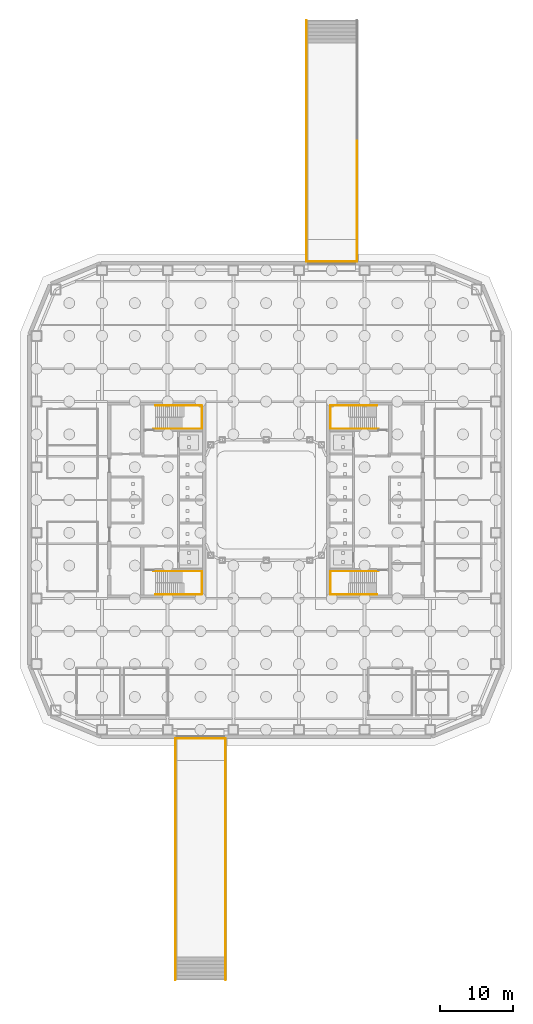
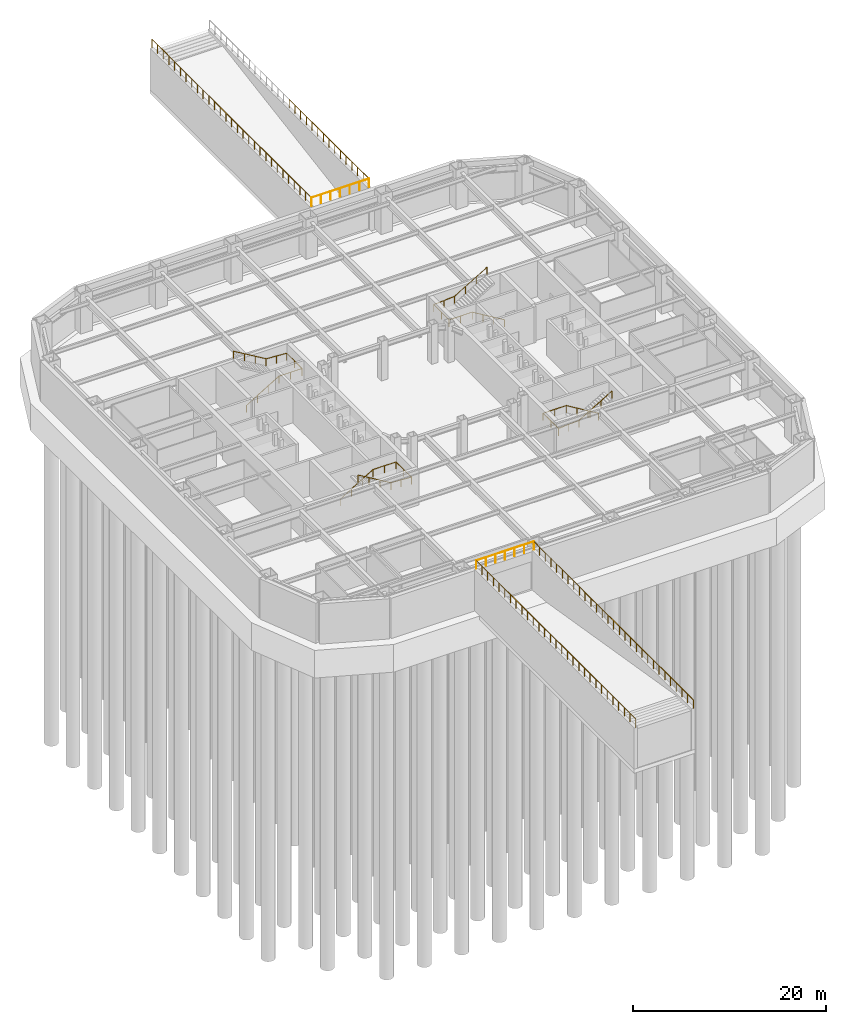
# One storey, part 8 of 10: 13 railings.
"""IFC4 building model written with IfcOpenShell, lengths in metres."""

import ifcopenshell
import ifcopenshell.guid

model = None  # the IFC model being written
_history = None  # IfcOwnerHistory: only IFC2X3 demands one
_inside = {}  # id of a spatial element -> (the spatial element, [elements in it])
_under = {}  # id of a project, library or spatial element -> (it, [spatial elements below it])
_declared = {}  # id of a project -> (the project, [libraries it declares])
_typed = {}  # id of a type object -> (the type object, [elements of that type])
_made_of = {}  # id of a material, layer set ... -> (it, [elements and type objects made of it])


def new_model(schema):
    """Start an empty IFC model of exactly this schema.

    Asked for "IFC4X3", IfcOpenShell would pick the latest addendum, in which some entities
    have other attributes; the version numbers below select the first issue.
    IFC2X3 requires an IfcOwnerHistory on every rooted entity: one is made here for all.
    """
    global model, _history
    if schema == "IFC4X3":
        model = ifcopenshell.file(schema_version=(4, 3, 0, 0))
    else:
        model = ifcopenshell.file(schema=schema)
    _inside.clear()
    _under.clear()
    _declared.clear()
    _typed.clear()
    _made_of.clear()
    _history = None
    if model.schema == "IFC2X3":
        org = make("IfcOrganization", Name="unknown")
        user = make(
            "IfcPersonAndOrganization",
            ThePerson=make("IfcPerson", FamilyName="unknown"),
            TheOrganization=org,
        )
        app = make(
            "IfcApplication",
            ApplicationDeveloper=org,
            Version="unknown",
            ApplicationFullName="unknown",
            ApplicationIdentifier="unknown",
        )
        _history = make(
            "IfcOwnerHistory",
            OwningUser=user,
            OwningApplication=app,
            ChangeAction="ADDED",
            CreationDate=0,
        )
    return model


def make(cls, **values):
    """One entity of the class cls with the attributes given. An attribute that is None is left unset."""
    return model.create_entity(
        cls, **{name: value for name, value in values.items() if value is not None}
    )


def rooted(cls, **values):
    """An entity with a GlobalId (a new one), such as an element, a storey or a relation."""
    return make(cls, GlobalId=ifcopenshell.guid.new(), OwnerHistory=_history, **values)


def si_unit(unit_type, name, prefix=None):
    """IfcSIUnit, for example si_unit("LENGTHUNIT", "METRE", prefix="MILLI")."""
    return make("IfcSIUnit", UnitType=unit_type, Prefix=prefix, Name=name)


def assignment(units):
    """IfcUnitAssignment: the units of a project."""
    return None if units is None else make("IfcUnitAssignment", Units=units)


def point(xyz):
    """IfcCartesianPoint."""
    return None if xyz is None else make("IfcCartesianPoint", Coordinates=xyz)


def direction(xyz):
    """IfcDirection."""
    return None if xyz is None else make("IfcDirection", DirectionRatios=xyz)


def frame(location, z_axis=None, x_axis=None):
    """IfcAxis2Placement3D, a coordinate frame: its origin and axes. An axis left out is left unset."""
    return make(
        "IfcAxis2Placement3D",
        Location=point(location),
        Axis=direction(z_axis),
        RefDirection=direction(x_axis),
    )


def frame_2d(location, x_axis=None):
    """IfcAxis2Placement2D, a coordinate frame in the plane: its origin and x axis."""
    return make(
        "IfcAxis2Placement2D", Location=point(location), RefDirection=direction(x_axis)
    )


def origin():
    """The frame at (0, 0, 0) with its axes left unset."""
    return frame((0.0, 0.0, 0.0))


def origin_2d():
    """The frame at (0, 0) in the plane with its x axis left unset."""
    return frame_2d((0.0, 0.0))


def place(relative_to, where):
    """IfcLocalPlacement: puts the frame where relative to a parent placement (None: the world)."""
    return make(
        "IfcLocalPlacement", PlacementRelTo=relative_to, RelativePlacement=where
    )


def context(
    kind, dimensions, precision=None, world=None, true_north=None, identifier=None
):
    """IfcGeometricRepresentationContext, for example the 3D "Model" context."""
    return make(
        "IfcGeometricRepresentationContext",
        ContextIdentifier=identifier,
        ContextType=kind,
        CoordinateSpaceDimension=dimensions,
        Precision=precision,
        WorldCoordinateSystem=world,
        TrueNorth=true_north,
    )


def subcontext(parent, identifier, kind, view, scale=None):
    """IfcGeometricRepresentationSubContext, for example "Body" below "Model"."""
    return make(
        "IfcGeometricRepresentationSubContext",
        ContextIdentifier=identifier,
        ContextType=kind,
        ParentContext=parent,
        TargetScale=scale,
        TargetView=view,
    )


def project(units=None, contexts=None):
    """IfcProject with its units and contexts."""
    return rooted(
        "IfcProject",
        Name="project",
        RepresentationContexts=contexts,
        UnitsInContext=assignment(units),
    )


def spatial(cls, under=None, at=None, **own):
    """A site, building, storey or space (cls), placed at a placement, below another one or the project."""
    s = rooted(cls, ObjectPlacement=at, **own)
    if under is not None:
        _under.setdefault(under.id(), (under, []))[1].append(s)
    return s


def profile(cls, at=None, kind="AREA", **sizes):
    """A parametric profile (cls). Its sizes go by their IFC names, for example OverallWidth=200.0."""
    return make(cls, ProfileType=kind, Position=at, **sizes)


def circle(**sizes):
    """IfcCircleProfileDef."""
    return profile("IfcCircleProfileDef", **sizes)


def extrude(swept, where, along, depth):
    """IfcExtrudedAreaSolid: the profile swept, set in the frame where, extruded along a direction by depth."""
    return make(
        "IfcExtrudedAreaSolid",
        SweptArea=swept,
        Position=where,
        ExtrudedDirection=direction(along),
        Depth=depth,
    )


def shape(context_of_items, identifier, shape_type, items):
    """IfcShapeRepresentation: the items that make up one representation, for example the "Body"."""
    return make(
        "IfcShapeRepresentation",
        ContextOfItems=context_of_items,
        RepresentationIdentifier=identifier,
        RepresentationType=shape_type,
        Items=items,
    )


def material(Name=None, Category=None):
    """IfcMaterial."""
    return make("IfcMaterial", Name=Name, Category=Category)


def made_of(thing, what):
    """Note that an element or type object is made of a material, layer set ...; save() writes the relation."""
    if what is not None:
        _made_of.setdefault(what.id(), (what, []))[1].append(thing)
    return thing


def type_object(cls, material=None, **own):
    """A type object (cls), such as IfcWallType, which elements share."""
    return made_of(rooted(cls, **own), material)


def element(
    cls,
    number,
    at=None,
    inside=None,
    cuts=None,
    type_object=None,
    material=None,
    context=None,
    identifier="Body",
    shape_type=None,
    held_by="IfcProductDefinitionShape",
    body=None,
    shapes=None,
    **own,
):
    """One element of the class cls, such as IfcWall. Its Tag is "e" and its number.

    at: its placement. inside: the storey or other place that contains it. cuts: it is an
    opening in that element (IfcRelVoidsElement). A single representation is given by context,
    identifier, shape_type and body (its items); several are given by shapes. held_by: the class
    of the entity that holds the representations. save() writes the other relations.
    """
    e = rooted(cls, Tag="e%d" % number, ObjectPlacement=at, **own)
    if body is not None:
        shapes = [shape(context, identifier, shape_type, body)]
    if shapes is not None:
        e.Representation = make(held_by, Representations=shapes)
    if inside is not None:
        _inside.setdefault(inside.id(), (inside, []))[1].append(e)
    if cuts is not None:
        rooted(
            "IfcRelVoidsElement", RelatingBuildingElement=cuts, RelatedOpeningElement=e
        )
    if type_object is not None:
        _typed.setdefault(type_object.id(), (type_object, []))[1].append(e)
    return made_of(e, material)


def aggregate(whole, parts):
    """IfcRelAggregates: a whole, such as a stair, and the parts it consists of."""
    return rooted("IfcRelAggregates", RelatingObject=whole, RelatedObjects=parts)


def save(model, path):
    """Write the relations noted so far, then the file.

    IfcRelAggregates (storeys below a building ...), IfcRelContainedInSpatialStructure (elements
    in a storey), IfcRelDefinesByType, IfcRelAssociatesMaterial and IfcRelDeclares: one each for
    every whole, place, type object, material and project.
    """
    for whole, parts in _under.values():
        aggregate(whole, parts)
    for where, things in _inside.values():
        rooted(
            "IfcRelContainedInSpatialStructure",
            RelatedElements=things,
            RelatingStructure=where,
        )
    for kind, things in _typed.values():
        rooted("IfcRelDefinesByType", RelatedObjects=things, RelatingType=kind)
    for what, things in _made_of.values():
        rooted("IfcRelAssociatesMaterial", RelatedObjects=things, RelatingMaterial=what)
    for by, libraries in _declared.values():
        rooted("IfcRelDeclares", RelatingContext=by, RelatedDefinitions=libraries)
    model.write(path)


model = new_model("IFC4")

# Units and contexts
model_context = context("Model", 3, precision=1e-05, world=origin(), true_north=direction((0.0, 1.0)))
body_context = subcontext(model_context, "Body", "Model", "MODEL_VIEW")
ifc_project = project(units=[si_unit("LENGTHUNIT", "METRE"), si_unit("AREAUNIT", "SQUARE_METRE"), si_unit("VOLUMEUNIT", "CUBIC_METRE"), si_unit("PLANEANGLEUNIT", "RADIAN"), si_unit("MASSUNIT", "GRAM", prefix="KILO")], contexts=[model_context])

# Site, building, storey
site_placement = place(None, origin())
site = spatial("IfcSite", under=ifc_project, at=site_placement, CompositionType="ELEMENT")
building_placement = place(site_placement, origin())
building = spatial("IfcBuilding", under=site, at=building_placement, Name="Siwar Civic Tower", CompositionType="ELEMENT")
storey_placement = place(building_placement, frame((0.0, 0.0, -5.0)))
storey = spatial("IfcBuildingStorey", under=building, at=storey_placement, Name="B1", CompositionType="ELEMENT", Elevation=-5.0)

# Railings
ifc_material_1 = material(Name="Stainless steel", Category="steel")
railing_type_1 = type_object("IfcRailingType", Name="CORE-STAIR-HANDRAIL", PredefinedType="HANDRAIL", material=ifc_material_1)
railing_1_placement = place(storey_placement, frame((-15.449951171875, 9.758056640625, 0.166748046875)))
element("IfcRailing", 1, at=railing_1_placement, inside=storey, type_object=railing_type_1, Name="Stair handrail ST1", PredefinedType="HANDRAIL", context=body_context, shape_type="SweptSolid", body=[
    extrude(circle(Radius=0.02001953125, at=origin_2d()), frame((0.0, 0.0, 0.8798828125), z_axis=(0.856384976194, 0.0, 0.516337847296), x_axis=(0.0, 1.0, 0.0)), (0.0, 0.0, 1.0), 4.518798828125),
    extrude(circle(Radius=0.02001953125, at=origin_2d()), frame((3.869873046875, 0.0, 3.213134765625), z_axis=(1.0, 0.0, 0.0), x_axis=(0.0, 1.0, 0.0)), (0.0, 0.0, 1.0), 2.77197265625),
    extrude(circle(Radius=0.02001953125, at=origin_2d()), frame((6.641845703125, 0.0, 3.213134765625), z_axis=(0.0, 1.0, 0.0), x_axis=(-1.0, 0.0, 0.0)), (0.0, 0.0, 1.0), 3.183837890625),
    extrude(circle(Radius=0.02001953125, at=origin_2d()), frame((6.641845703125, 3.183837890625, 3.213134765625), z_axis=(-0.997732526271, 0.0, 0.067303833624), x_axis=(0.0, -1.0, 0.0)), (0.0, 0.0, 1.0), 2.4775390625),
    extrude(circle(Radius=0.02001953125, at=origin_2d()), frame((4.169921875, 3.183837890625, 3.3798828125), z_axis=(-0.859296244711, 0.0, 0.511478214419), x_axis=(0.0, -1.0, 0.0)), (0.0, 0.0, 1.0), 4.561767578125),
    extrude(circle(Radius=0.02001953125, at=origin_2d()), origin(), (0.0, 0.0, 1.0), 0.85986328125),
    extrude(circle(Radius=0.02001953125, at=origin_2d()), frame((1.2900390625, 0.0, 0.77783203125)), (0.0, 0.0, 1.0), 0.85986328125),
    extrude(circle(Radius=0.02001953125, at=origin_2d()), frame((2.579833984375, 0.0, 1.555419921875)), (0.0, 0.0, 1.0), 0.85986328125),
    extrude(circle(Radius=0.02001953125, at=origin_2d()), frame((3.869873046875, 0.0, 2.333251953125)), (0.0, 0.0, 1.0), 0.85986328125),
    extrude(circle(Radius=0.02001953125, at=origin_2d()), frame((5.255859375, 0.0, 2.333251953125)), (0.0, 0.0, 1.0), 0.85986328125),
    extrude(circle(Radius=0.02001953125, at=origin_2d()), frame((6.641845703125, 0.0, 2.333251953125)), (0.0, 0.0, 1.0), 0.85986328125),
    extrude(circle(Radius=0.02001953125, at=origin_2d()), frame((6.641845703125, 1.591796875, 2.333251953125)), (0.0, 0.0, 1.0), 0.85986328125),
    extrude(circle(Radius=0.02001953125, at=origin_2d()), frame((6.641845703125, 3.183837890625, 2.333251953125)), (0.0, 0.0, 1.0), 0.85986328125),
    extrude(circle(Radius=0.02001953125, at=origin_2d()), frame((5.40576171875, 3.183837890625, 2.41650390625)), (0.0, 0.0, 1.0), 0.85986328125),
    extrude(circle(Radius=0.02001953125, at=origin_2d()), frame((4.169921875, 3.183837890625, 2.5)), (0.0, 0.0, 1.0), 0.85986328125),
    extrude(circle(Radius=0.02001953125, at=origin_2d()), frame((2.86328125, 3.183837890625, 3.27783203125)), (0.0, 0.0, 1.0), 0.85986328125),
    extrude(circle(Radius=0.02001953125, at=origin_2d()), frame((1.556640625, 3.183837890625, 4.055419921875)), (0.0, 0.0, 1.0), 0.85986328125),
    extrude(circle(Radius=0.02001953125, at=origin_2d()), frame((0.25, 3.183837890625, 4.833251953125)), (0.0, 0.0, 1.0), 0.85986328125),
])
railing_2_placement = place(storey_placement, frame((-15.449951171875, -9.758056640625, 0.166748046875)))
element("IfcRailing", 2, at=railing_2_placement, inside=storey, type_object=railing_type_1, Name="Stair handrail ST2", PredefinedType="HANDRAIL", context=body_context, shape_type="SweptSolid", body=[
    extrude(circle(Radius=0.02001953125, at=origin_2d()), frame((0.0, 0.0, 0.8798828125), z_axis=(0.856384976194, 0.0, 0.516337847296), x_axis=(0.0, 1.0, 0.0)), (0.0, 0.0, 1.0), 4.518798828125),
    extrude(circle(Radius=0.02001953125, at=origin_2d()), frame((3.869873046875, 0.0, 3.213134765625), z_axis=(1.0, 0.0, 0.0), x_axis=(0.0, 1.0, 0.0)), (0.0, 0.0, 1.0), 2.77197265625),
    extrude(circle(Radius=0.02001953125, at=origin_2d()), frame((6.641845703125, 0.0, 3.213134765625), z_axis=(0.0, -1.0, 0.0), x_axis=(1.0, 0.0, 0.0)), (0.0, 0.0, 1.0), 3.183837890625),
    extrude(circle(Radius=0.02001953125, at=origin_2d()), frame((6.641845703125, -3.183837890625, 3.213134765625), z_axis=(-0.997732526271, 0.0, 0.067303833624), x_axis=(0.0, -1.0, 0.0)), (0.0, 0.0, 1.0), 2.4775390625),
    extrude(circle(Radius=0.02001953125, at=origin_2d()), frame((4.169921875, -3.183837890625, 3.3798828125), z_axis=(-0.859296244711, 0.0, 0.511478214419), x_axis=(0.0, -1.0, 0.0)), (0.0, 0.0, 1.0), 4.561767578125),
    extrude(circle(Radius=0.02001953125, at=origin_2d()), origin(), (0.0, 0.0, 1.0), 0.85986328125),
    extrude(circle(Radius=0.02001953125, at=origin_2d()), frame((1.2900390625, 0.0, 0.77783203125)), (0.0, 0.0, 1.0), 0.85986328125),
    extrude(circle(Radius=0.02001953125, at=origin_2d()), frame((2.579833984375, 0.0, 1.555419921875)), (0.0, 0.0, 1.0), 0.85986328125),
    extrude(circle(Radius=0.02001953125, at=origin_2d()), frame((3.869873046875, 0.0, 2.333251953125)), (0.0, 0.0, 1.0), 0.85986328125),
    extrude(circle(Radius=0.02001953125, at=origin_2d()), frame((5.255859375, 0.0, 2.333251953125)), (0.0, 0.0, 1.0), 0.85986328125),
    extrude(circle(Radius=0.02001953125, at=origin_2d()), frame((6.641845703125, 0.0, 2.333251953125)), (0.0, 0.0, 1.0), 0.85986328125),
    extrude(circle(Radius=0.02001953125, at=origin_2d()), frame((6.641845703125, -1.591796875, 2.333251953125)), (0.0, 0.0, 1.0), 0.85986328125),
    extrude(circle(Radius=0.02001953125, at=origin_2d()), frame((6.641845703125, -3.183837890625, 2.333251953125)), (0.0, 0.0, 1.0), 0.85986328125),
    extrude(circle(Radius=0.02001953125, at=origin_2d()), frame((5.40576171875, -3.183837890625, 2.41650390625)), (0.0, 0.0, 1.0), 0.85986328125),
    extrude(circle(Radius=0.02001953125, at=origin_2d()), frame((4.169921875, -3.183837890625, 2.5)), (0.0, 0.0, 1.0), 0.85986328125),
    extrude(circle(Radius=0.02001953125, at=origin_2d()), frame((2.86328125, -3.183837890625, 3.27783203125)), (0.0, 0.0, 1.0), 0.85986328125),
    extrude(circle(Radius=0.02001953125, at=origin_2d()), frame((1.556640625, -3.183837890625, 4.055419921875)), (0.0, 0.0, 1.0), 0.85986328125),
    extrude(circle(Radius=0.02001953125, at=origin_2d()), frame((0.25, -3.183837890625, 4.833251953125)), (0.0, 0.0, 1.0), 0.85986328125),
])
railing_3_placement = place(storey_placement, frame((15.449951171875, 9.758056640625, 0.166748046875)))
element("IfcRailing", 3, at=railing_3_placement, inside=storey, type_object=railing_type_1, Name="Stair handrail ST3", PredefinedType="HANDRAIL", context=body_context, shape_type="SweptSolid", body=[
    extrude(circle(Radius=0.02001953125, at=origin_2d()), frame((0.0, 0.0, 0.8798828125), z_axis=(-0.856384976194, 0.0, 0.516337847296), x_axis=(0.0, -1.0, 0.0)), (0.0, 0.0, 1.0), 4.518798828125),
    extrude(circle(Radius=0.02001953125, at=origin_2d()), frame((-3.869873046875, 0.0, 3.213134765625), z_axis=(-1.0, 0.0, 0.0), x_axis=(0.0, -1.0, 0.0)), (0.0, 0.0, 1.0), 2.77197265625),
    extrude(circle(Radius=0.02001953125, at=origin_2d()), frame((-6.641845703125, 0.0, 3.213134765625), z_axis=(0.0, 1.0, 0.0), x_axis=(-1.0, 0.0, 0.0)), (0.0, 0.0, 1.0), 3.183837890625),
    extrude(circle(Radius=0.02001953125, at=origin_2d()), frame((-6.641845703125, 3.183837890625, 3.213134765625), z_axis=(0.997732526271, 0.0, 0.067303833624), x_axis=(0.0, 1.0, 0.0)), (0.0, 0.0, 1.0), 2.4775390625),
    extrude(circle(Radius=0.02001953125, at=origin_2d()), frame((-4.169921875, 3.183837890625, 3.3798828125), z_axis=(0.859296244711, 0.0, 0.511478214419), x_axis=(0.0, 1.0, 0.0)), (0.0, 0.0, 1.0), 4.561767578125),
    extrude(circle(Radius=0.02001953125, at=origin_2d()), origin(), (0.0, 0.0, 1.0), 0.85986328125),
    extrude(circle(Radius=0.02001953125, at=origin_2d()), frame((-1.2900390625, 0.0, 0.77783203125)), (0.0, 0.0, 1.0), 0.85986328125),
    extrude(circle(Radius=0.02001953125, at=origin_2d()), frame((-2.579833984375, 0.0, 1.555419921875)), (0.0, 0.0, 1.0), 0.85986328125),
    extrude(circle(Radius=0.02001953125, at=origin_2d()), frame((-3.869873046875, 0.0, 2.333251953125)), (0.0, 0.0, 1.0), 0.85986328125),
    extrude(circle(Radius=0.02001953125, at=origin_2d()), frame((-5.255859375, 0.0, 2.333251953125)), (0.0, 0.0, 1.0), 0.85986328125),
    extrude(circle(Radius=0.02001953125, at=origin_2d()), frame((-6.641845703125, 0.0, 2.333251953125)), (0.0, 0.0, 1.0), 0.85986328125),
    extrude(circle(Radius=0.02001953125, at=origin_2d()), frame((-6.641845703125, 1.591796875, 2.333251953125)), (0.0, 0.0, 1.0), 0.85986328125),
    extrude(circle(Radius=0.02001953125, at=origin_2d()), frame((-6.641845703125, 3.183837890625, 2.333251953125)), (0.0, 0.0, 1.0), 0.85986328125),
    extrude(circle(Radius=0.02001953125, at=origin_2d()), frame((-5.40576171875, 3.183837890625, 2.41650390625)), (0.0, 0.0, 1.0), 0.85986328125),
    extrude(circle(Radius=0.02001953125, at=origin_2d()), frame((-4.169921875, 3.183837890625, 2.5)), (0.0, 0.0, 1.0), 0.85986328125),
    extrude(circle(Radius=0.02001953125, at=origin_2d()), frame((-2.86328125, 3.183837890625, 3.27783203125)), (0.0, 0.0, 1.0), 0.85986328125),
    extrude(circle(Radius=0.02001953125, at=origin_2d()), frame((-1.556640625, 3.183837890625, 4.055419921875)), (0.0, 0.0, 1.0), 0.85986328125),
    extrude(circle(Radius=0.02001953125, at=origin_2d()), frame((-0.25, 3.183837890625, 4.833251953125)), (0.0, 0.0, 1.0), 0.85986328125),
])
railing_4_placement = place(storey_placement, frame((15.449951171875, -9.758056640625, 0.166748046875)))
element("IfcRailing", 4, at=railing_4_placement, inside=storey, type_object=railing_type_1, Name="Stair handrail ST4", PredefinedType="HANDRAIL", context=body_context, shape_type="SweptSolid", body=[
    extrude(circle(Radius=0.02001953125, at=origin_2d()), frame((0.0, 0.0, 0.8798828125), z_axis=(-0.856384976194, 0.0, 0.516337847296), x_axis=(0.0, -1.0, 0.0)), (0.0, 0.0, 1.0), 4.518798828125),
    extrude(circle(Radius=0.02001953125, at=origin_2d()), frame((-3.869873046875, 0.0, 3.213134765625), z_axis=(-1.0, 0.0, 0.0), x_axis=(0.0, -1.0, 0.0)), (0.0, 0.0, 1.0), 2.77197265625),
    extrude(circle(Radius=0.02001953125, at=origin_2d()), frame((-6.641845703125, 0.0, 3.213134765625), z_axis=(0.0, -1.0, 0.0), x_axis=(1.0, 0.0, 0.0)), (0.0, 0.0, 1.0), 3.183837890625),
    extrude(circle(Radius=0.02001953125, at=origin_2d()), frame((-6.641845703125, -3.183837890625, 3.213134765625), z_axis=(0.997732526271, 0.0, 0.067303833624), x_axis=(0.0, 1.0, 0.0)), (0.0, 0.0, 1.0), 2.4775390625),
    extrude(circle(Radius=0.02001953125, at=origin_2d()), frame((-4.169921875, -3.183837890625, 3.3798828125), z_axis=(0.859296244711, 0.0, 0.511478214419), x_axis=(0.0, 1.0, 0.0)), (0.0, 0.0, 1.0), 4.561767578125),
    extrude(circle(Radius=0.02001953125, at=origin_2d()), origin(), (0.0, 0.0, 1.0), 0.85986328125),
    extrude(circle(Radius=0.02001953125, at=origin_2d()), frame((-1.2900390625, 0.0, 0.77783203125)), (0.0, 0.0, 1.0), 0.85986328125),
    extrude(circle(Radius=0.02001953125, at=origin_2d()), frame((-2.579833984375, 0.0, 1.555419921875)), (0.0, 0.0, 1.0), 0.85986328125),
    extrude(circle(Radius=0.02001953125, at=origin_2d()), frame((-3.869873046875, 0.0, 2.333251953125)), (0.0, 0.0, 1.0), 0.85986328125),
    extrude(circle(Radius=0.02001953125, at=origin_2d()), frame((-5.255859375, 0.0, 2.333251953125)), (0.0, 0.0, 1.0), 0.85986328125),
    extrude(circle(Radius=0.02001953125, at=origin_2d()), frame((-6.641845703125, 0.0, 2.333251953125)), (0.0, 0.0, 1.0), 0.85986328125),
    extrude(circle(Radius=0.02001953125, at=origin_2d()), frame((-6.641845703125, -1.591796875, 2.333251953125)), (0.0, 0.0, 1.0), 0.85986328125),
    extrude(circle(Radius=0.02001953125, at=origin_2d()), frame((-6.641845703125, -3.183837890625, 2.333251953125)), (0.0, 0.0, 1.0), 0.85986328125),
    extrude(circle(Radius=0.02001953125, at=origin_2d()), frame((-5.40576171875, -3.183837890625, 2.41650390625)), (0.0, 0.0, 1.0), 0.85986328125),
    extrude(circle(Radius=0.02001953125, at=origin_2d()), frame((-4.169921875, -3.183837890625, 2.5)), (0.0, 0.0, 1.0), 0.85986328125),
    extrude(circle(Radius=0.02001953125, at=origin_2d()), frame((-2.86328125, -3.183837890625, 3.27783203125)), (0.0, 0.0, 1.0), 0.85986328125),
    extrude(circle(Radius=0.02001953125, at=origin_2d()), frame((-1.556640625, -3.183837890625, 4.055419921875)), (0.0, 0.0, 1.0), 0.85986328125),
    extrude(circle(Radius=0.02001953125, at=origin_2d()), frame((-0.25, -3.183837890625, 4.833251953125)), (0.0, 0.0, 1.0), 0.85986328125),
])
ifc_material_2 = material(Name="Stainless steel", Category="steel")
railing_type_2 = type_object("IfcRailingType", Name="GND-RAIL", PredefinedType="GUARDRAIL", material=ifc_material_2)
railing_5_placement = place(storey_placement, frame((-12.449951171875, -32.699951171875, 5.0)))
element("IfcRailing", 5, at=railing_5_placement, inside=storey, type_object=railing_type_2, Name="Guard R1", PredefinedType="GUARDRAIL", context=body_context, shape_type="SweptSolid", body=[
    extrude(circle(Radius=0.02392578125, at=origin_2d()), frame((0.0, 0.0, 1.076171875), z_axis=(1.0, 0.0, 0.0), x_axis=(0.0, 1.0, 0.0)), (0.0, 0.0, 1.0), 6.89990234375),
    extrude(circle(Radius=0.02099609375, at=origin_2d()), origin(), (0.0, 0.0, 1.0), 1.052001953125),
    extrude(circle(Radius=0.02099609375, at=origin_2d()), frame((1.14990234375, 0.0, 0.0)), (0.0, 0.0, 1.0), 1.052001953125),
    extrude(circle(Radius=0.02099609375, at=origin_2d()), frame((2.300048828125, 0.0, 0.0)), (0.0, 0.0, 1.0), 1.052001953125),
    extrude(circle(Radius=0.02099609375, at=origin_2d()), frame((3.449951171875, 0.0, 0.0)), (0.0, 0.0, 1.0), 1.052001953125),
    extrude(circle(Radius=0.02099609375, at=origin_2d()), frame((4.599853515625, 0.0, 0.0)), (0.0, 0.0, 1.0), 1.052001953125),
    extrude(circle(Radius=0.02099609375, at=origin_2d()), frame((5.75, 0.0, 0.0)), (0.0, 0.0, 1.0), 1.052001953125),
    extrude(circle(Radius=0.02099609375, at=origin_2d()), frame((6.89990234375, 0.0, 0.0)), (0.0, 0.0, 1.0), 1.052001953125),
])
railing_6_placement = place(storey_placement, frame((-12.449951171875, -65.800048828125, 5.0)))
element("IfcRailing", 6, at=railing_6_placement, inside=storey, type_object=railing_type_2, Name="Guard R1", PredefinedType="GUARDRAIL", context=body_context, shape_type="SweptSolid", body=[
    extrude(circle(Radius=0.02392578125, at=origin_2d()), frame((0.0, 0.0, 1.076171875), z_axis=(0.0, 1.0, 0.0), x_axis=(-1.0, 0.0, 0.0)), (0.0, 0.0, 1.0), 16.550048828125),
    extrude(circle(Radius=0.02099609375, at=origin_2d()), origin(), (0.0, 0.0, 1.0), 1.052001953125),
    extrude(circle(Radius=0.02099609375, at=origin_2d()), frame((0.0, 1.18212890625, 0.0)), (0.0, 0.0, 1.0), 1.052001953125),
    extrude(circle(Radius=0.02099609375, at=origin_2d()), frame((0.0, 2.3642578125, 0.0)), (0.0, 0.0, 1.0), 1.052001953125),
    extrude(circle(Radius=0.02099609375, at=origin_2d()), frame((0.0, 3.54638671875, 0.0)), (0.0, 0.0, 1.0), 1.052001953125),
    extrude(circle(Radius=0.02099609375, at=origin_2d()), frame((0.0, 4.728515625, 0.0)), (0.0, 0.0, 1.0), 1.052001953125),
    extrude(circle(Radius=0.02099609375, at=origin_2d()), frame((0.0, 5.91064453125, 0.0)), (0.0, 0.0, 1.0), 1.052001953125),
    extrude(circle(Radius=0.02099609375, at=origin_2d()), frame((0.0, 7.0927734375, 0.0)), (0.0, 0.0, 1.0), 1.052001953125),
    extrude(circle(Radius=0.02099609375, at=origin_2d()), frame((0.0, 8.27490234375, 0.0)), (0.0, 0.0, 1.0), 1.052001953125),
    extrude(circle(Radius=0.02099609375, at=origin_2d()), frame((0.0, 9.457275390625, 0.0)), (0.0, 0.0, 1.0), 1.052001953125),
    extrude(circle(Radius=0.02099609375, at=origin_2d()), frame((0.0, 10.639404296875, 0.0)), (0.0, 0.0, 1.0), 1.052001953125),
    extrude(circle(Radius=0.02099609375, at=origin_2d()), frame((0.0, 11.821533203125, 0.0)), (0.0, 0.0, 1.0), 1.052001953125),
    extrude(circle(Radius=0.02099609375, at=origin_2d()), frame((0.0, 13.003662109375, 0.0)), (0.0, 0.0, 1.0), 1.052001953125),
    extrude(circle(Radius=0.02099609375, at=origin_2d()), frame((0.0, 14.185791015625, 0.0)), (0.0, 0.0, 1.0), 1.052001953125),
    extrude(circle(Radius=0.02099609375, at=origin_2d()), frame((0.0, 15.367919921875, 0.0)), (0.0, 0.0, 1.0), 1.052001953125),
    extrude(circle(Radius=0.02099609375, at=origin_2d()), frame((0.0, 16.550048828125, 0.0)), (0.0, 0.0, 1.0), 1.052001953125),
])
railing_7_placement = place(storey_placement, frame((-12.449951171875, -49.25, 5.0)))
element("IfcRailing", 7, at=railing_7_placement, inside=storey, type_object=railing_type_2, Name="Guard R1", PredefinedType="GUARDRAIL", context=body_context, shape_type="SweptSolid", body=[
    extrude(circle(Radius=0.02392578125, at=origin_2d()), frame((0.0, 0.0, 1.076171875), z_axis=(0.0, 1.0, 0.0), x_axis=(-1.0, 0.0, 0.0)), (0.0, 0.0, 1.0), 16.550048828125),
    extrude(circle(Radius=0.02099609375, at=origin_2d()), origin(), (0.0, 0.0, 1.0), 1.052001953125),
    extrude(circle(Radius=0.02099609375, at=origin_2d()), frame((0.0, 1.18212890625, 0.0)), (0.0, 0.0, 1.0), 1.052001953125),
    extrude(circle(Radius=0.02099609375, at=origin_2d()), frame((0.0, 2.3642578125, 0.0)), (0.0, 0.0, 1.0), 1.052001953125),
    extrude(circle(Radius=0.02099609375, at=origin_2d()), frame((0.0, 3.54638671875, 0.0)), (0.0, 0.0, 1.0), 1.052001953125),
    extrude(circle(Radius=0.02099609375, at=origin_2d()), frame((0.0, 4.728515625, 0.0)), (0.0, 0.0, 1.0), 1.052001953125),
    extrude(circle(Radius=0.02099609375, at=origin_2d()), frame((0.0, 5.91064453125, 0.0)), (0.0, 0.0, 1.0), 1.052001953125),
    extrude(circle(Radius=0.02099609375, at=origin_2d()), frame((0.0, 7.0927734375, 0.0)), (0.0, 0.0, 1.0), 1.052001953125),
    extrude(circle(Radius=0.02099609375, at=origin_2d()), frame((0.0, 8.27490234375, 0.0)), (0.0, 0.0, 1.0), 1.052001953125),
    extrude(circle(Radius=0.02099609375, at=origin_2d()), frame((0.0, 9.457275390625, 0.0)), (0.0, 0.0, 1.0), 1.052001953125),
    extrude(circle(Radius=0.02099609375, at=origin_2d()), frame((0.0, 10.639404296875, 0.0)), (0.0, 0.0, 1.0), 1.052001953125),
    extrude(circle(Radius=0.02099609375, at=origin_2d()), frame((0.0, 11.821533203125, 0.0)), (0.0, 0.0, 1.0), 1.052001953125),
    extrude(circle(Radius=0.02099609375, at=origin_2d()), frame((0.0, 13.003662109375, 0.0)), (0.0, 0.0, 1.0), 1.052001953125),
    extrude(circle(Radius=0.02099609375, at=origin_2d()), frame((0.0, 14.185791015625, 0.0)), (0.0, 0.0, 1.0), 1.052001953125),
    extrude(circle(Radius=0.02099609375, at=origin_2d()), frame((0.0, 15.367919921875, 0.0)), (0.0, 0.0, 1.0), 1.052001953125),
    extrude(circle(Radius=0.02099609375, at=origin_2d()), frame((0.0, 16.550048828125, 0.0)), (0.0, 0.0, 1.0), 1.052001953125),
])
railing_8_placement = place(storey_placement, frame((-5.550048828125, -65.800048828125, 5.0)))
element("IfcRailing", 8, at=railing_8_placement, inside=storey, type_object=railing_type_2, Name="Guard R1", PredefinedType="GUARDRAIL", context=body_context, shape_type="SweptSolid", body=[
    extrude(circle(Radius=0.02392578125, at=origin_2d()), frame((0.0, 0.0, 1.076171875), z_axis=(0.0, 1.0, 0.0), x_axis=(-1.0, 0.0, 0.0)), (0.0, 0.0, 1.0), 16.550048828125),
    extrude(circle(Radius=0.02099609375, at=origin_2d()), origin(), (0.0, 0.0, 1.0), 1.052001953125),
    extrude(circle(Radius=0.02099609375, at=origin_2d()), frame((0.0, 1.18212890625, 0.0)), (0.0, 0.0, 1.0), 1.052001953125),
    extrude(circle(Radius=0.02099609375, at=origin_2d()), frame((0.0, 2.3642578125, 0.0)), (0.0, 0.0, 1.0), 1.052001953125),
    extrude(circle(Radius=0.02099609375, at=origin_2d()), frame((0.0, 3.54638671875, 0.0)), (0.0, 0.0, 1.0), 1.052001953125),
    extrude(circle(Radius=0.02099609375, at=origin_2d()), frame((0.0, 4.728515625, 0.0)), (0.0, 0.0, 1.0), 1.052001953125),
    extrude(circle(Radius=0.02099609375, at=origin_2d()), frame((0.0, 5.91064453125, 0.0)), (0.0, 0.0, 1.0), 1.052001953125),
    extrude(circle(Radius=0.02099609375, at=origin_2d()), frame((0.0, 7.0927734375, 0.0)), (0.0, 0.0, 1.0), 1.052001953125),
    extrude(circle(Radius=0.02099609375, at=origin_2d()), frame((0.0, 8.27490234375, 0.0)), (0.0, 0.0, 1.0), 1.052001953125),
    extrude(circle(Radius=0.02099609375, at=origin_2d()), frame((0.0, 9.457275390625, 0.0)), (0.0, 0.0, 1.0), 1.052001953125),
    extrude(circle(Radius=0.02099609375, at=origin_2d()), frame((0.0, 10.639404296875, 0.0)), (0.0, 0.0, 1.0), 1.052001953125),
    extrude(circle(Radius=0.02099609375, at=origin_2d()), frame((0.0, 11.821533203125, 0.0)), (0.0, 0.0, 1.0), 1.052001953125),
    extrude(circle(Radius=0.02099609375, at=origin_2d()), frame((0.0, 13.003662109375, 0.0)), (0.0, 0.0, 1.0), 1.052001953125),
    extrude(circle(Radius=0.02099609375, at=origin_2d()), frame((0.0, 14.185791015625, 0.0)), (0.0, 0.0, 1.0), 1.052001953125),
    extrude(circle(Radius=0.02099609375, at=origin_2d()), frame((0.0, 15.367919921875, 0.0)), (0.0, 0.0, 1.0), 1.052001953125),
    extrude(circle(Radius=0.02099609375, at=origin_2d()), frame((0.0, 16.550048828125, 0.0)), (0.0, 0.0, 1.0), 1.052001953125),
])
railing_9_placement = place(storey_placement, frame((-5.550048828125, -49.25, 5.0)))
element("IfcRailing", 9, at=railing_9_placement, inside=storey, type_object=railing_type_2, Name="Guard R1", PredefinedType="GUARDRAIL", context=body_context, shape_type="SweptSolid", body=[
    extrude(circle(Radius=0.02392578125, at=origin_2d()), frame((0.0, 0.0, 1.076171875), z_axis=(0.0, 1.0, 0.0), x_axis=(-1.0, 0.0, 0.0)), (0.0, 0.0, 1.0), 16.550048828125),
    extrude(circle(Radius=0.02099609375, at=origin_2d()), origin(), (0.0, 0.0, 1.0), 1.052001953125),
    extrude(circle(Radius=0.02099609375, at=origin_2d()), frame((0.0, 1.18212890625, 0.0)), (0.0, 0.0, 1.0), 1.052001953125),
    extrude(circle(Radius=0.02099609375, at=origin_2d()), frame((0.0, 2.3642578125, 0.0)), (0.0, 0.0, 1.0), 1.052001953125),
    extrude(circle(Radius=0.02099609375, at=origin_2d()), frame((0.0, 3.54638671875, 0.0)), (0.0, 0.0, 1.0), 1.052001953125),
    extrude(circle(Radius=0.02099609375, at=origin_2d()), frame((0.0, 4.728515625, 0.0)), (0.0, 0.0, 1.0), 1.052001953125),
    extrude(circle(Radius=0.02099609375, at=origin_2d()), frame((0.0, 5.91064453125, 0.0)), (0.0, 0.0, 1.0), 1.052001953125),
    extrude(circle(Radius=0.02099609375, at=origin_2d()), frame((0.0, 7.0927734375, 0.0)), (0.0, 0.0, 1.0), 1.052001953125),
    extrude(circle(Radius=0.02099609375, at=origin_2d()), frame((0.0, 8.27490234375, 0.0)), (0.0, 0.0, 1.0), 1.052001953125),
    extrude(circle(Radius=0.02099609375, at=origin_2d()), frame((0.0, 9.457275390625, 0.0)), (0.0, 0.0, 1.0), 1.052001953125),
    extrude(circle(Radius=0.02099609375, at=origin_2d()), frame((0.0, 10.639404296875, 0.0)), (0.0, 0.0, 1.0), 1.052001953125),
    extrude(circle(Radius=0.02099609375, at=origin_2d()), frame((0.0, 11.821533203125, 0.0)), (0.0, 0.0, 1.0), 1.052001953125),
    extrude(circle(Radius=0.02099609375, at=origin_2d()), frame((0.0, 13.003662109375, 0.0)), (0.0, 0.0, 1.0), 1.052001953125),
    extrude(circle(Radius=0.02099609375, at=origin_2d()), frame((0.0, 14.185791015625, 0.0)), (0.0, 0.0, 1.0), 1.052001953125),
    extrude(circle(Radius=0.02099609375, at=origin_2d()), frame((0.0, 15.367919921875, 0.0)), (0.0, 0.0, 1.0), 1.052001953125),
    extrude(circle(Radius=0.02099609375, at=origin_2d()), frame((0.0, 16.550048828125, 0.0)), (0.0, 0.0, 1.0), 1.052001953125),
])
railing_10_placement = place(storey_placement, frame((5.550048828125, 32.699951171875, 5.0)))
element("IfcRailing", 10, at=railing_10_placement, inside=storey, type_object=railing_type_2, Name="Guard R2", PredefinedType="GUARDRAIL", context=body_context, shape_type="SweptSolid", body=[
    extrude(circle(Radius=0.02392578125, at=origin_2d()), frame((0.0, 0.0, 1.076171875), z_axis=(1.0, 0.0, 0.0), x_axis=(0.0, 1.0, 0.0)), (0.0, 0.0, 1.0), 6.89990234375),
    extrude(circle(Radius=0.02099609375, at=origin_2d()), origin(), (0.0, 0.0, 1.0), 1.052001953125),
    extrude(circle(Radius=0.02099609375, at=origin_2d()), frame((1.14990234375, 0.0, 0.0)), (0.0, 0.0, 1.0), 1.052001953125),
    extrude(circle(Radius=0.02099609375, at=origin_2d()), frame((2.300048828125, 0.0, 0.0)), (0.0, 0.0, 1.0), 1.052001953125),
    extrude(circle(Radius=0.02099609375, at=origin_2d()), frame((3.449951171875, 0.0, 0.0)), (0.0, 0.0, 1.0), 1.052001953125),
    extrude(circle(Radius=0.02099609375, at=origin_2d()), frame((4.599853515625, 0.0, 0.0)), (0.0, 0.0, 1.0), 1.052001953125),
    extrude(circle(Radius=0.02099609375, at=origin_2d()), frame((5.75, 0.0, 0.0)), (0.0, 0.0, 1.0), 1.052001953125),
    extrude(circle(Radius=0.02099609375, at=origin_2d()), frame((6.89990234375, 0.0, 0.0)), (0.0, 0.0, 1.0), 1.052001953125),
])
railing_11_placement = place(storey_placement, frame((5.550048828125, 32.699951171875, 5.0)))
element("IfcRailing", 11, at=railing_11_placement, inside=storey, type_object=railing_type_2, Name="Guard R2", PredefinedType="GUARDRAIL", context=body_context, shape_type="SweptSolid", body=[
    extrude(circle(Radius=0.02392578125, at=origin_2d()), frame((0.0, 0.0, 1.076171875), z_axis=(0.0, 1.0, 0.0), x_axis=(-1.0, 0.0, 0.0)), (0.0, 0.0, 1.0), 16.550048828125),
    extrude(circle(Radius=0.02099609375, at=origin_2d()), origin(), (0.0, 0.0, 1.0), 1.052001953125),
    extrude(circle(Radius=0.02099609375, at=origin_2d()), frame((0.0, 1.18212890625, 0.0)), (0.0, 0.0, 1.0), 1.052001953125),
    extrude(circle(Radius=0.02099609375, at=origin_2d()), frame((0.0, 2.3642578125, 0.0)), (0.0, 0.0, 1.0), 1.052001953125),
    extrude(circle(Radius=0.02099609375, at=origin_2d()), frame((0.0, 3.54638671875, 0.0)), (0.0, 0.0, 1.0), 1.052001953125),
    extrude(circle(Radius=0.02099609375, at=origin_2d()), frame((0.0, 4.728515625, 0.0)), (0.0, 0.0, 1.0), 1.052001953125),
    extrude(circle(Radius=0.02099609375, at=origin_2d()), frame((0.0, 5.91064453125, 0.0)), (0.0, 0.0, 1.0), 1.052001953125),
    extrude(circle(Radius=0.02099609375, at=origin_2d()), frame((0.0, 7.0927734375, 0.0)), (0.0, 0.0, 1.0), 1.052001953125),
    extrude(circle(Radius=0.02099609375, at=origin_2d()), frame((0.0, 8.27490234375, 0.0)), (0.0, 0.0, 1.0), 1.052001953125),
    extrude(circle(Radius=0.02099609375, at=origin_2d()), frame((0.0, 9.457275390625, 0.0)), (0.0, 0.0, 1.0), 1.052001953125),
    extrude(circle(Radius=0.02099609375, at=origin_2d()), frame((0.0, 10.639404296875, 0.0)), (0.0, 0.0, 1.0), 1.052001953125),
    extrude(circle(Radius=0.02099609375, at=origin_2d()), frame((0.0, 11.821533203125, 0.0)), (0.0, 0.0, 1.0), 1.052001953125),
    extrude(circle(Radius=0.02099609375, at=origin_2d()), frame((0.0, 13.003662109375, 0.0)), (0.0, 0.0, 1.0), 1.052001953125),
    extrude(circle(Radius=0.02099609375, at=origin_2d()), frame((0.0, 14.185791015625, 0.0)), (0.0, 0.0, 1.0), 1.052001953125),
    extrude(circle(Radius=0.02099609375, at=origin_2d()), frame((0.0, 15.367919921875, 0.0)), (0.0, 0.0, 1.0), 1.052001953125),
    extrude(circle(Radius=0.02099609375, at=origin_2d()), frame((0.0, 16.550048828125, 0.0)), (0.0, 0.0, 1.0), 1.052001953125),
])
railing_12_placement = place(storey_placement, frame((5.550048828125, 49.25, 5.0)))
element("IfcRailing", 12, at=railing_12_placement, inside=storey, type_object=railing_type_2, Name="Guard R2", PredefinedType="GUARDRAIL", context=body_context, shape_type="SweptSolid", body=[
    extrude(circle(Radius=0.02392578125, at=origin_2d()), frame((0.0, 0.0, 1.076171875), z_axis=(0.0, 1.0, 0.0), x_axis=(-1.0, 0.0, 0.0)), (0.0, 0.0, 1.0), 16.550048828125),
    extrude(circle(Radius=0.02099609375, at=origin_2d()), origin(), (0.0, 0.0, 1.0), 1.052001953125),
    extrude(circle(Radius=0.02099609375, at=origin_2d()), frame((0.0, 1.18212890625, 0.0)), (0.0, 0.0, 1.0), 1.052001953125),
    extrude(circle(Radius=0.02099609375, at=origin_2d()), frame((0.0, 2.3642578125, 0.0)), (0.0, 0.0, 1.0), 1.052001953125),
    extrude(circle(Radius=0.02099609375, at=origin_2d()), frame((0.0, 3.54638671875, 0.0)), (0.0, 0.0, 1.0), 1.052001953125),
    extrude(circle(Radius=0.02099609375, at=origin_2d()), frame((0.0, 4.728515625, 0.0)), (0.0, 0.0, 1.0), 1.052001953125),
    extrude(circle(Radius=0.02099609375, at=origin_2d()), frame((0.0, 5.91064453125, 0.0)), (0.0, 0.0, 1.0), 1.052001953125),
    extrude(circle(Radius=0.02099609375, at=origin_2d()), frame((0.0, 7.0927734375, 0.0)), (0.0, 0.0, 1.0), 1.052001953125),
    extrude(circle(Radius=0.02099609375, at=origin_2d()), frame((0.0, 8.27490234375, 0.0)), (0.0, 0.0, 1.0), 1.052001953125),
    extrude(circle(Radius=0.02099609375, at=origin_2d()), frame((0.0, 9.457275390625, 0.0)), (0.0, 0.0, 1.0), 1.052001953125),
    extrude(circle(Radius=0.02099609375, at=origin_2d()), frame((0.0, 10.639404296875, 0.0)), (0.0, 0.0, 1.0), 1.052001953125),
    extrude(circle(Radius=0.02099609375, at=origin_2d()), frame((0.0, 11.821533203125, 0.0)), (0.0, 0.0, 1.0), 1.052001953125),
    extrude(circle(Radius=0.02099609375, at=origin_2d()), frame((0.0, 13.003662109375, 0.0)), (0.0, 0.0, 1.0), 1.052001953125),
    extrude(circle(Radius=0.02099609375, at=origin_2d()), frame((0.0, 14.185791015625, 0.0)), (0.0, 0.0, 1.0), 1.052001953125),
    extrude(circle(Radius=0.02099609375, at=origin_2d()), frame((0.0, 15.367919921875, 0.0)), (0.0, 0.0, 1.0), 1.052001953125),
    extrude(circle(Radius=0.02099609375, at=origin_2d()), frame((0.0, 16.550048828125, 0.0)), (0.0, 0.0, 1.0), 1.052001953125),
])
railing_13_placement = place(storey_placement, frame((12.449951171875, 32.699951171875, 5.0)))
element("IfcRailing", 13, at=railing_13_placement, inside=storey, type_object=railing_type_2, Name="Guard R2", PredefinedType="GUARDRAIL", context=body_context, shape_type="SweptSolid", body=[
    extrude(circle(Radius=0.02392578125, at=origin_2d()), frame((0.0, 0.0, 1.076171875), z_axis=(0.0, 1.0, 0.0), x_axis=(-1.0, 0.0, 0.0)), (0.0, 0.0, 1.0), 16.550048828125),
    extrude(circle(Radius=0.02099609375, at=origin_2d()), origin(), (0.0, 0.0, 1.0), 1.052001953125),
    extrude(circle(Radius=0.02099609375, at=origin_2d()), frame((0.0, 1.18212890625, 0.0)), (0.0, 0.0, 1.0), 1.052001953125),
    extrude(circle(Radius=0.02099609375, at=origin_2d()), frame((0.0, 2.3642578125, 0.0)), (0.0, 0.0, 1.0), 1.052001953125),
    extrude(circle(Radius=0.02099609375, at=origin_2d()), frame((0.0, 3.54638671875, 0.0)), (0.0, 0.0, 1.0), 1.052001953125),
    extrude(circle(Radius=0.02099609375, at=origin_2d()), frame((0.0, 4.728515625, 0.0)), (0.0, 0.0, 1.0), 1.052001953125),
    extrude(circle(Radius=0.02099609375, at=origin_2d()), frame((0.0, 5.91064453125, 0.0)), (0.0, 0.0, 1.0), 1.052001953125),
    extrude(circle(Radius=0.02099609375, at=origin_2d()), frame((0.0, 7.0927734375, 0.0)), (0.0, 0.0, 1.0), 1.052001953125),
    extrude(circle(Radius=0.02099609375, at=origin_2d()), frame((0.0, 8.27490234375, 0.0)), (0.0, 0.0, 1.0), 1.052001953125),
    extrude(circle(Radius=0.02099609375, at=origin_2d()), frame((0.0, 9.457275390625, 0.0)), (0.0, 0.0, 1.0), 1.052001953125),
    extrude(circle(Radius=0.02099609375, at=origin_2d()), frame((0.0, 10.639404296875, 0.0)), (0.0, 0.0, 1.0), 1.052001953125),
    extrude(circle(Radius=0.02099609375, at=origin_2d()), frame((0.0, 11.821533203125, 0.0)), (0.0, 0.0, 1.0), 1.052001953125),
    extrude(circle(Radius=0.02099609375, at=origin_2d()), frame((0.0, 13.003662109375, 0.0)), (0.0, 0.0, 1.0), 1.052001953125),
    extrude(circle(Radius=0.02099609375, at=origin_2d()), frame((0.0, 14.185791015625, 0.0)), (0.0, 0.0, 1.0), 1.052001953125),
    extrude(circle(Radius=0.02099609375, at=origin_2d()), frame((0.0, 15.367919921875, 0.0)), (0.0, 0.0, 1.0), 1.052001953125),
    extrude(circle(Radius=0.02099609375, at=origin_2d()), frame((0.0, 16.550048828125, 0.0)), (0.0, 0.0, 1.0), 1.052001953125),
])

save(model, "model.ifc")
